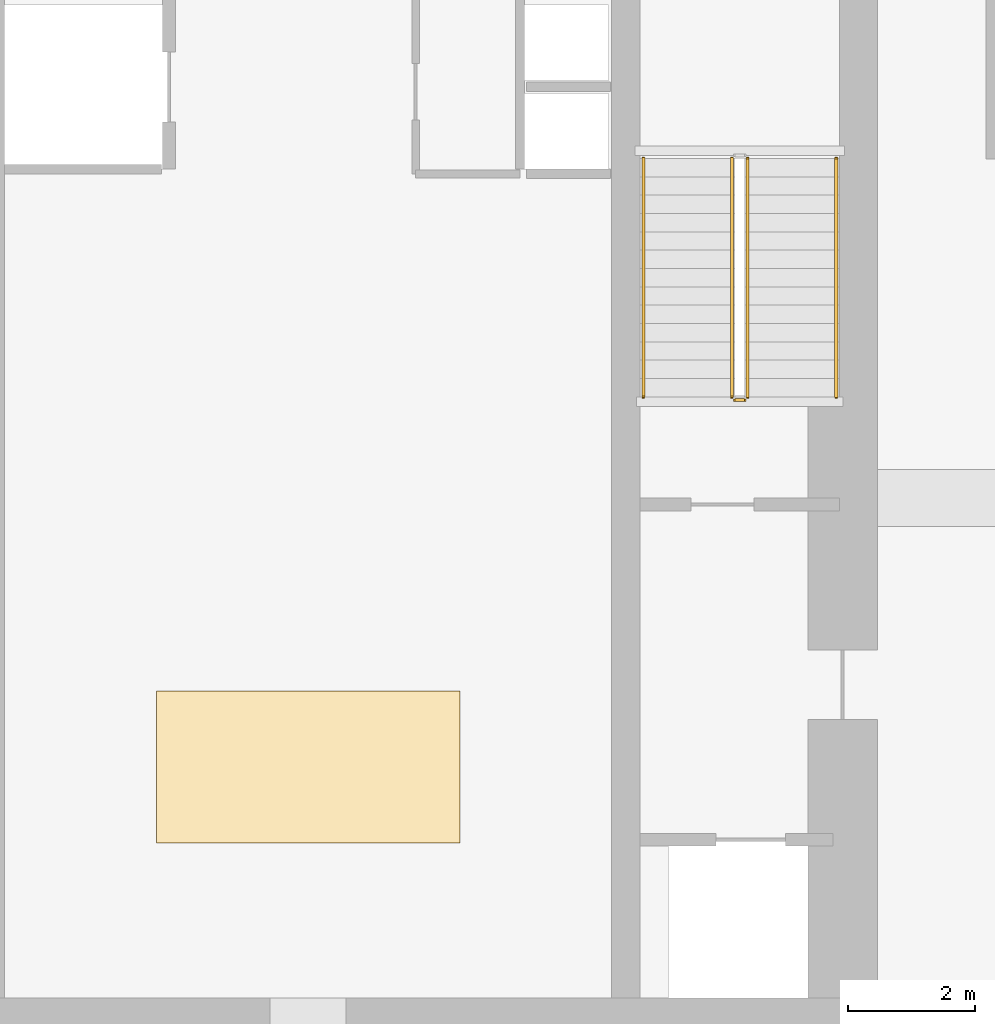
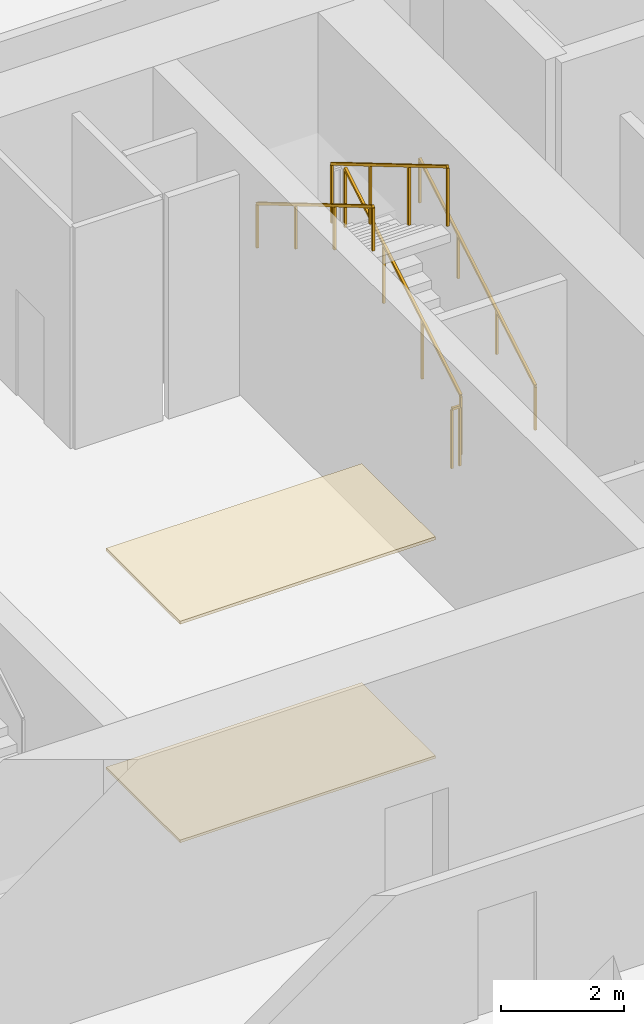
# One storey, part 5 of 6: 5 railings, 2 coverings.
"""IFC4 building model written with IfcOpenShell, lengths in metres."""

from ifc_helpers import new_model, si_unit, direction, frame, origin, origin_2d, place, context, subcontext, project, spatial, polyline, rectangle, outline, extrude, material, layer, layer_set, type_object, element, save


model = new_model("IFC4")

# Units and contexts
model_context = context("Model", 3, precision=1e-05, world=origin(), true_north=direction((0.0, 1.0)))
body_context = subcontext(model_context, "Body", "Model", "MODEL_VIEW")
ifc_project = project(units=[si_unit("LENGTHUNIT", "METRE"), si_unit("AREAUNIT", "SQUARE_METRE"), si_unit("VOLUMEUNIT", "CUBIC_METRE"), si_unit("PLANEANGLEUNIT", "RADIAN"), si_unit("MASSUNIT", "GRAM", prefix="KILO")], contexts=[model_context])

# Site, building, storey
site_placement = place(None, origin())
site = spatial("IfcSite", under=ifc_project, at=site_placement, CompositionType="ELEMENT")
building_placement = place(site_placement, origin())
building = spatial("IfcBuilding", under=site, at=building_placement, Name="Belovzor Exchange Tower", CompositionType="ELEMENT")
storey_placement = place(building_placement, frame((0.0, 0.0, -4.800048828125)))
storey = spatial("IfcBuildingStorey", under=building, at=storey_placement, Name="B01", CompositionType="ELEMENT", Elevation=-4.800048828125)

# Railings
ifc_material_1 = material(Name="Stainless Steel Grade 304", Category="steel")
railing_type_1 = type_object("IfcRailingType", Name="Brushed Stainless Steel Stair Handrail 900", PredefinedType="HANDRAIL", material=ifc_material_1)
railing_1_placement = place(storey_placement, frame((37.14990234375, 30.39990234375, 0.17138671875)))
element("IfcRailing", 1, at=railing_1_placement, inside=storey, type_object=railing_type_1, Name="B01 ST-2 stair handrail 1", PredefinedType="HANDRAIL", context=body_context, shape_type="SweptSolid", body=[
    extrude(rectangle(XDim=0.048095703125, YDim=0.048095703125, at=origin_2d()), frame((0.0, 0.0, 0.8759765625), z_axis=(0.0, 0.860824410104, 0.508902087802), x_axis=(-1.0, 0.0, 0.0)), (0.0, 0.0, 1.0), 4.379638671875),
    extrude(rectangle(XDim=0.0419921875, YDim=0.0419921875, at=origin_2d()), origin(), (0.0, 0.0, 1.0), 0.851806640625),
    extrude(rectangle(XDim=0.0419921875, YDim=0.0419921875, at=origin_2d()), frame((0.0, 1.256591796875, 0.742919921875)), (0.0, 0.0, 1.0), 0.851806640625),
    extrude(rectangle(XDim=0.0419921875, YDim=0.0419921875, at=origin_2d()), frame((0.0, 2.513427734375, 1.48583984375)), (0.0, 0.0, 1.0), 0.851806640625),
    extrude(rectangle(XDim=0.0419921875, YDim=0.0419921875, at=origin_2d()), frame((0.0, 3.77001953125, 2.228759765625)), (0.0, 0.0, 1.0), 0.851806640625),
])
railing_2_placement = place(storey_placement, frame((34.10009765625, 34.169921875, 2.571533203125)))
element("IfcRailing", 2, at=railing_2_placement, inside=storey, type_object=railing_type_1, Name="B01 ST-2 stair handrail 2", PredefinedType="HANDRAIL", context=body_context, shape_type="SweptSolid", body=[
    extrude(rectangle(XDim=0.048095703125, YDim=0.048095703125, at=origin_2d()), frame((0.0, 0.0, 0.8759765625), z_axis=(0.0, -0.860848830602, 0.508860777473), x_axis=(1.0, 0.0, 0.0)), (0.0, 0.0, 1.0), 4.37939453125),
    extrude(rectangle(XDim=0.0419921875, YDim=0.0419921875, at=origin_2d()), origin(), (0.0, 0.0, 1.0), 0.851806640625),
    extrude(rectangle(XDim=0.0419921875, YDim=0.0419921875, at=origin_2d()), frame((0.0, -1.256591796875, 0.742919921875)), (0.0, 0.0, 1.0), 0.851806640625),
    extrude(rectangle(XDim=0.0419921875, YDim=0.0419921875, at=origin_2d()), frame((0.0, -2.513427734375, 1.485595703125)), (0.0, 0.0, 1.0), 0.851806640625),
    extrude(rectangle(XDim=0.0419921875, YDim=0.0419921875, at=origin_2d()), frame((0.0, -3.77001953125, 2.228515625)), (0.0, 0.0, 1.0), 0.851806640625),
])
ifc_material_2 = material(Name="Steel S355", Category="steel")
railing_type_2 = type_object("IfcRailingType", Name="Painted Steel Stairwell Guardrail 1200", PredefinedType="GUARDRAIL", material=ifc_material_2)
railing_3_placement = place(storey_placement, frame((35.75, 30.39990234375, 0.17138671875)))
element("IfcRailing", 3, at=railing_3_placement, inside=storey, type_object=railing_type_2, Name="B01 ST-2 stair guard 1", PredefinedType="GUARDRAIL", context=body_context, shape_type="SweptSolid", body=[
    extrude(rectangle(XDim=0.048095703125, YDim=0.048095703125, at=origin_2d()), frame((0.0, 0.0, 1.17578125), z_axis=(0.0, 0.860824410104, 0.508902087802), x_axis=(-1.0, 0.0, 0.0)), (0.0, 0.0, 1.0), 4.379638671875),
    extrude(rectangle(XDim=0.0419921875, YDim=0.0419921875, at=origin_2d()), origin(), (0.0, 0.0, 1.0), 1.15185546875),
    extrude(rectangle(XDim=0.0419921875, YDim=0.0419921875, at=origin_2d()), frame((0.0, 1.256591796875, 0.742919921875)), (0.0, 0.0, 1.0), 1.15185546875),
    extrude(rectangle(XDim=0.0419921875, YDim=0.0419921875, at=origin_2d()), frame((0.0, 2.513427734375, 1.48583984375)), (0.0, 0.0, 1.0), 1.15185546875),
    extrude(rectangle(XDim=0.0419921875, YDim=0.0419921875, at=origin_2d()), frame((0.0, 3.77001953125, 2.228759765625)), (0.0, 0.0, 1.0), 1.15185546875),
])
railing_4_placement = place(storey_placement, frame((35.5, 34.169921875, 2.571533203125)))
element("IfcRailing", 4, at=railing_4_placement, inside=storey, type_object=railing_type_2, Name="B01 ST-2 stair guard 3", PredefinedType="GUARDRAIL", context=body_context, shape_type="SweptSolid", body=[
    extrude(rectangle(XDim=0.048095703125, YDim=0.048095703125, at=origin_2d()), frame((0.0, 0.0, 1.17578125), z_axis=(0.0, -0.860848830602, 0.508860777473), x_axis=(1.0, 0.0, 0.0)), (0.0, 0.0, 1.0), 4.37939453125),
    extrude(rectangle(XDim=0.0419921875, YDim=0.0419921875, at=origin_2d()), origin(), (0.0, 0.0, 1.0), 1.15185546875),
    extrude(rectangle(XDim=0.0419921875, YDim=0.0419921875, at=origin_2d()), frame((0.0, -1.256591796875, 0.742919921875)), (0.0, 0.0, 1.0), 1.15185546875),
    extrude(rectangle(XDim=0.0419921875, YDim=0.0419921875, at=origin_2d()), frame((0.0, -2.513427734375, 1.485595703125)), (0.0, 0.0, 1.0), 1.15185546875),
    extrude(rectangle(XDim=0.0419921875, YDim=0.0419921875, at=origin_2d()), frame((0.0, -3.77001953125, 2.228515625)), (0.0, 0.0, 1.0), 1.15185546875),
])
railing_5_placement = place(storey_placement, frame((35.699951171875, 30.35009765625, 0.0)))
element("IfcRailing", 5, at=railing_5_placement, inside=storey, type_object=railing_type_2, Name="B01 ST-2 stair guard 4", PredefinedType="GUARDRAIL", context=body_context, shape_type="SweptSolid", body=[
    extrude(rectangle(XDim=0.048095703125, YDim=0.048095703125, at=origin_2d()), frame((0.0, 0.0, 1.17578125), z_axis=(-1.0, 0.0, 0.0), x_axis=(0.0, -1.0, 0.0)), (0.0, 0.0, 1.0), 0.14990234375),
    extrude(rectangle(XDim=0.0419921875, YDim=0.0419921875, at=origin_2d()), origin(), (0.0, 0.0, 1.0), 1.15185546875),
    extrude(rectangle(XDim=0.0419921875, YDim=0.0419921875, at=origin_2d()), frame((-0.14990234375, 0.0, 0.0)), (0.0, 0.0, 1.0), 1.15185546875),
])

# Coverings
ifc_material_3 = material(Name="Perforated Powder-Coated Aluminium", Category="aluminium")
ifc_layer_1 = layer(ifc_material_3, 0.06005859375)
ifc_layer_set_1 = layer_set([ifc_layer_1], Name="Perforated Powder-Coated Aluminium")
covering_type_1 = type_object("IfcCoveringType", Name="Perforated Acoustic Metal Tile Suspended Ceiling 60", PredefinedType="CEILING", material=ifc_layer_set_1)
covering_1_placement = place(storey_placement, frame((0.0, 0.0, 4.340087890625)))
element("IfcCovering", 6, at=covering_1_placement, inside=storey, type_object=covering_type_1, Name="CLG-AC60 Suspended Ceiling CLG-B01-LOB", PredefinedType="CEILING", context=body_context, shape_type="SweptSolid", body=[
    extrude(outline(polyline([(26.39990234375, 23.35009765625), (31.199951171875, 23.35009765625), (31.199951171875, 25.75), (26.39990234375, 25.75), (26.39990234375, 23.35009765625)])), origin(), (0.0, 0.0, 1.0), 0.06005859375),
])
ifc_material_4 = material(Name="Polished Natural Granite Tile", Category="masonry")
ifc_layer_2 = layer(ifc_material_4, 0.050048828125)
ifc_layer_set_2 = layer_set([ifc_layer_2], Name="Polished Natural Granite Tile")
covering_type_2 = type_object("IfcCoveringType", Name="Polished Karelian Granite & Raised Access Floor Finish 50", PredefinedType="FLOORING", material=ifc_layer_set_2)
covering_2_placement = place(storey_placement, origin())
element("IfcCovering", 7, at=covering_2_placement, inside=storey, type_object=covering_type_2, Name="FLR-GR50 Floor Finish FLR-B01-LOB", PredefinedType="FLOORING", context=body_context, shape_type="SweptSolid", body=[
    extrude(outline(polyline([(26.39990234375, 23.35009765625), (31.199951171875, 23.35009765625), (31.199951171875, 25.75), (26.39990234375, 25.75), (26.39990234375, 23.35009765625)])), origin(), (0.0, 0.0, 1.0), 0.050048828125),
])

save(model, "model.ifc")
